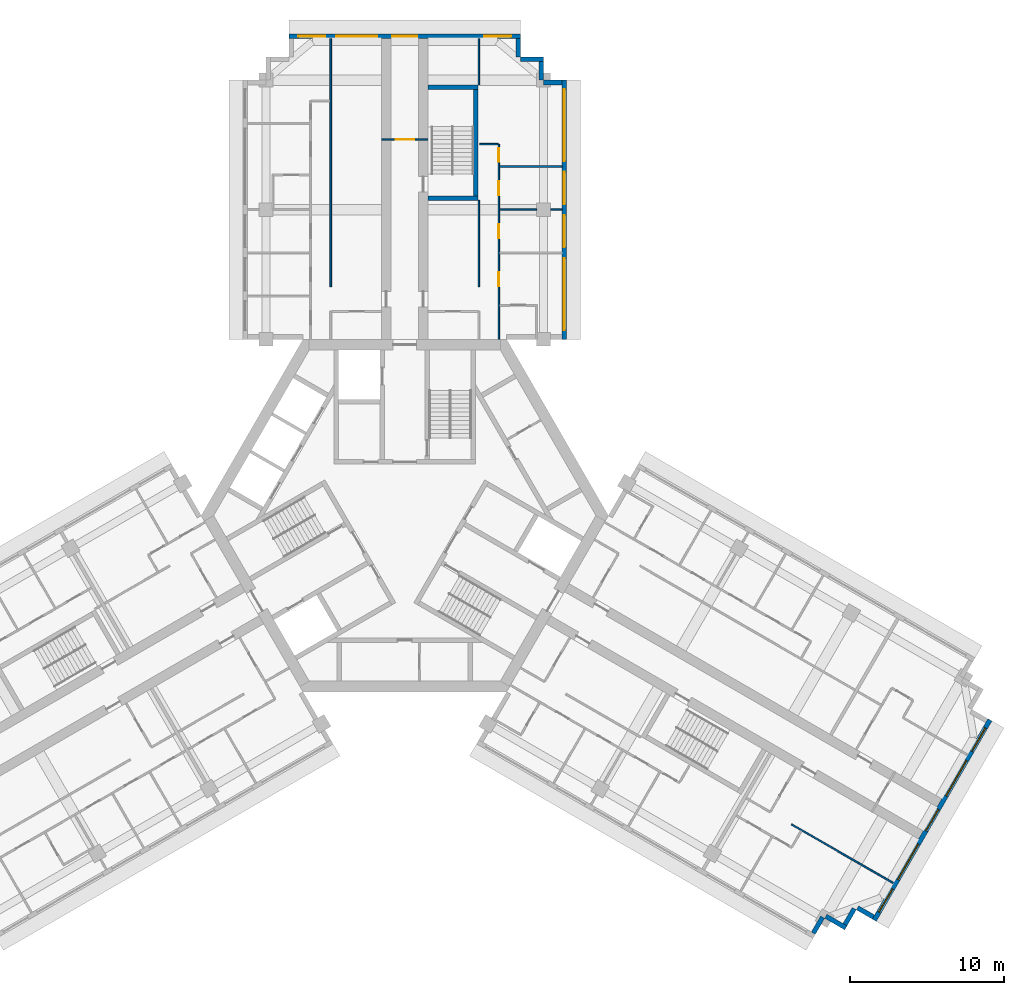
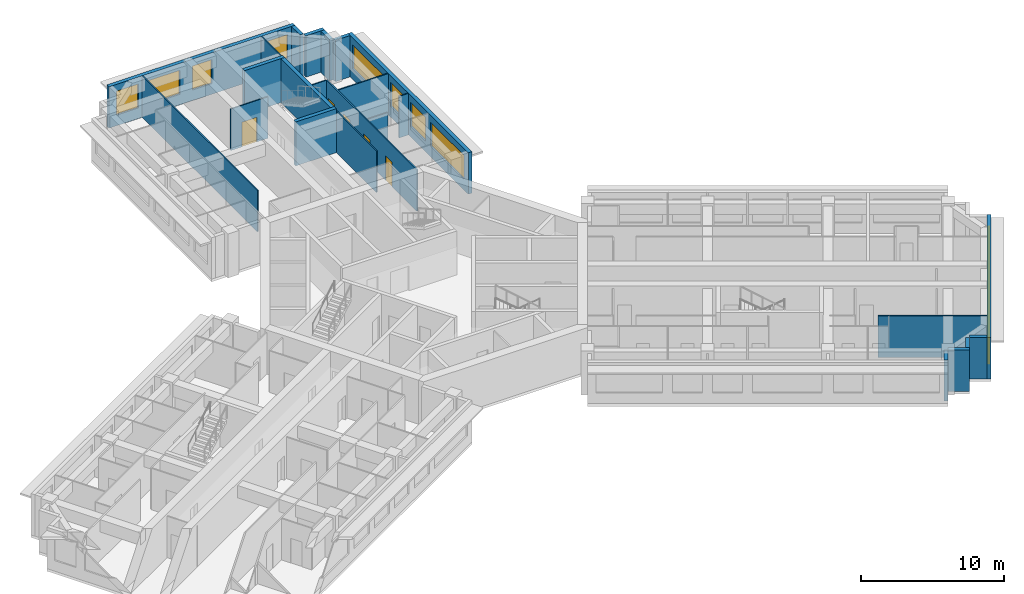
# One storey, part 9 of 12: 24 walls, 13 windows, 5 doors, 18 openings.
"""IFC4 building model written with IfcOpenShell, lengths in metres."""

from ifc_helpers import new_model, si_unit, direction, frame, frame_2d, origin, place, context, subcontext, project, spatial, rectangle, extrude, material, layer, layer_set, type_object, element, fill, save


model = new_model("IFC4")

# Units and contexts
model_context = context("Model", 3, precision=1e-05, world=origin(), true_north=direction((0.0, 1.0)))
body_context = subcontext(model_context, "Body", "Model", "MODEL_VIEW")
ifc_project = project(units=[si_unit("LENGTHUNIT", "METRE"), si_unit("AREAUNIT", "SQUARE_METRE"), si_unit("VOLUMEUNIT", "CUBIC_METRE"), si_unit("PLANEANGLEUNIT", "RADIAN"), si_unit("MASSUNIT", "GRAM", prefix="KILO")], contexts=[model_context])

# Site, building, storey
site_placement = place(None, origin())
site = spatial("IfcSite", under=ifc_project, at=site_placement, CompositionType="ELEMENT")
building_placement = place(site_placement, origin())
building = spatial("IfcBuilding", under=site, at=building_placement, Name="Impinga Residences", CompositionType="ELEMENT")
storey_placement = place(building_placement, frame((0.0, 0.0, 211.0)))
storey = spatial("IfcBuildingStorey", under=building, at=storey_placement, Name="L52", CompositionType="ELEMENT", Elevation=211.0)

# Wall, opening, door
ifc_material_1 = material(Name="Concrete blockwork", Category="masonry")
ifc_layer_1 = layer(ifc_material_1, 0.10009765625)
ifc_layer_set_1 = layer_set([ifc_layer_1], Name="CP1 core room partition, blockwork 100")
wall_type_1 = type_object("IfcWallType", Name="CP1 core room partition, blockwork 100", PredefinedType="PARTITIONING", material=ifc_layer_set_1)
wall_1_placement = place(storey_placement, frame((-1.5, 24.381591796875, 0.0), z_axis=(0.0, 0.0, 1.0), x_axis=(1.0, 0.0, 0.0)))
wall_1 = element("IfcWall", 1, at=wall_1_placement, inside=storey, type_object=wall_type_1, Name="Core room partition, blockwork L52:N:LNG", PredefinedType="PARTITIONING", context=body_context, shape_type="SweptSolid", body=[
    extrude(rectangle(XDim=3.0, YDim=0.10009765625, at=frame_2d((1.5, 0.0))), origin(), (0.0, 0.0, 1.0), 3.530029296875),
])
opening_1_placement = place(wall_1_placement, frame((0.89990234375, 0.0, 0.0)))
opening_1 = element("IfcOpeningElement", 2, at=opening_1_placement, cuts=wall_1, Name="Opening D3", PredefinedType="OPENING", context=body_context, shape_type="SweptSolid", body=[
    extrude(rectangle(XDim=1.199951171875, YDim=2.10009765625, at=frame_2d((0.60009765625, 1.050048828125))), frame((0.0, 0.06005859375, 0.0), z_axis=(0.0, -1.0, 0.0), x_axis=(1.0, 0.0, 0.0)), (0.0, 0.0, 1.0), 0.1201171875),
])
ifc_material_2 = material(Name="Timber door set", Category="wood")
door_type_1 = type_object("IfcDoorType", Name="D3 room door, leaf and a half 1200x2100", OperationType="DOUBLE_SWING_LEFT", PredefinedType="DOOR", material=ifc_material_2)
door_1_placement = place(opening_1_placement, origin())
door_1 = element("IfcDoor", 3, at=door_1_placement, inside=storey, type_object=door_type_1, Name="Residents' lounge door N", OperationType="DOUBLE_SWING_LEFT", OverallHeight=2.10009765625, OverallWidth=1.199951171875, PredefinedType="DOOR", context=body_context, shape_type="SweptSolid", body=[
    extrude(rectangle(XDim=1.199951171875, YDim=2.10009765625, at=frame_2d((0.60009765625, 1.050048828125))), frame((0.0, 0.02490234375, 0.0), z_axis=(0.0, -1.0, 0.0), x_axis=(1.0, 0.0, 0.0)), (0.0, 0.0, 1.0), 0.050048828125),
])
fill(opening_1, door_1)

# Wall, openings, windows
ifc_material_3 = material(Name="Terracotta rainscreen on blockwork", Category="masonry")
ifc_layer_2 = layer(ifc_material_3, 0.300048828125)
ifc_layer_set_2 = layer_set([ifc_layer_2], Name="EW1 external wall, terracotta rainscreen on blockwork 300")
wall_type_2 = type_object("IfcWallType", Name="EW1 external wall, terracotta rainscreen on blockwork 300", PredefinedType="SOLIDWALL", material=ifc_layer_set_2)
wall_2_placement = place(storey_placement, frame((-7.5, 31.08154296875, 0.0), z_axis=(0.0, 0.0, 1.0), x_axis=(1.0, 0.0, 0.0)))
wall_2 = element("IfcWall", 4, at=wall_2_placement, inside=storey, type_object=wall_type_2, Name="External wall EW1 L52", PredefinedType="SOLIDWALL", context=body_context, shape_type="SweptSolid", body=[
    extrude(rectangle(XDim=15.0, YDim=0.300048828125, at=frame_2d((7.5, 0.0))), origin(), (0.0, 0.0, 1.0), 3.530029296875),
])
opening_2_placement = place(wall_2_placement, frame((0.60009765625, 0.0, 0.89990234375)))
opening_2 = element("IfcOpeningElement", 5, at=opening_2_placement, cuts=wall_2, Name="Opening W1", PredefinedType="OPENING", context=body_context, shape_type="SweptSolid", body=[
    extrude(rectangle(XDim=1.75, YDim=2.050048828125, at=frame_2d((0.875, 1.02490234375))), frame((0.0, 0.159912109375, 0.0), z_axis=(0.0, -1.0, 0.0), x_axis=(1.0, 0.0, 0.0)), (0.0, 0.0, 1.0), 0.320068359375),
])
opening_3_placement = place(wall_2_placement, frame((3.050048828125, 0.0, 0.89990234375)))
opening_3 = element("IfcOpeningElement", 6, at=opening_3_placement, cuts=wall_2, Name="Opening W18", PredefinedType="OPENING", context=body_context, shape_type="SweptSolid", body=[
    extrude(rectangle(XDim=2.64990234375, YDim=2.050048828125, at=frame_2d((1.324951171875, 1.02490234375))), frame((0.0, 0.159912109375, 0.0), z_axis=(0.0, -1.0, 0.0), x_axis=(1.0, 0.0, 0.0)), (0.0, 0.0, 1.0), 0.320068359375),
])
opening_4_placement = place(wall_2_placement, frame((6.699951171875, 0.0, 0.89990234375)))
opening_4 = element("IfcOpeningElement", 7, at=opening_4_placement, cuts=wall_2, Name="Opening W19", PredefinedType="OPENING", context=body_context, shape_type="SweptSolid", body=[
    extrude(rectangle(XDim=1.60009765625, YDim=2.050048828125, at=frame_2d((0.800048828125, 1.02490234375))), frame((0.0, 0.159912109375, 0.0), z_axis=(0.0, -1.0, 0.0), x_axis=(1.0, 0.0, 0.0)), (0.0, 0.0, 1.0), 0.320068359375),
])
opening_5_placement = place(wall_2_placement, frame((12.64990234375, 0.0, 0.89990234375)))
opening_5 = element("IfcOpeningElement", 8, at=opening_5_placement, cuts=wall_2, Name="Opening W1", PredefinedType="OPENING", context=body_context, shape_type="SweptSolid", body=[
    extrude(rectangle(XDim=1.75, YDim=2.050048828125, at=frame_2d((0.875, 1.02490234375))), frame((0.0, 0.159912109375, 0.0), z_axis=(0.0, -1.0, 0.0), x_axis=(1.0, 0.0, 0.0)), (0.0, 0.0, 1.0), 0.320068359375),
])
ifc_material_4 = material(Name="Aluminium window, clear double glazing", Category="aluminium")
window_type_1 = type_object("IfcWindowType", Name="W1 ribbon window 1750x2050", PartitioningType="SINGLE_PANEL", PredefinedType="WINDOW", material=ifc_material_4)
window_1_placement = place(opening_2_placement, origin())
window_1 = element("IfcWindow", 9, at=window_1_placement, inside=storey, type_object=window_type_1, Name="Window L52", OverallHeight=2.050048828125, OverallWidth=1.75, PartitioningType="SINGLE_PANEL", PredefinedType="WINDOW", context=body_context, shape_type="SweptSolid", body=[
    extrude(rectangle(XDim=1.75, YDim=2.050048828125, at=frame_2d((0.875, 1.02490234375))), frame((0.0, 0.030029296875, 0.0), z_axis=(0.0, -1.0, 0.0), x_axis=(1.0, 0.0, 0.0)), (0.0, 0.0, 1.0), 0.06005859375),
])
fill(opening_2, window_1)
window_2_placement = place(opening_5_placement, origin())
window_2 = element("IfcWindow", 10, at=window_2_placement, inside=storey, type_object=window_type_1, Name="Window L52", OverallHeight=2.050048828125, OverallWidth=1.75, PartitioningType="SINGLE_PANEL", PredefinedType="WINDOW", context=body_context, shape_type="SweptSolid", body=[
    extrude(rectangle(XDim=1.75, YDim=2.050048828125, at=frame_2d((0.875, 1.02490234375))), frame((0.0, 0.030029296875, 0.0), z_axis=(0.0, -1.0, 0.0), x_axis=(1.0, 0.0, 0.0)), (0.0, 0.0, 1.0), 0.06005859375),
])
fill(opening_5, window_2)
window_type_2 = type_object("IfcWindowType", Name="W18 ribbon window 2650x2050", PartitioningType="SINGLE_PANEL", PredefinedType="WINDOW", material=ifc_material_4)
window_3_placement = place(opening_3_placement, origin())
window_3 = element("IfcWindow", 11, at=window_3_placement, inside=storey, type_object=window_type_2, Name="Window L52", OverallHeight=2.050048828125, OverallWidth=2.64990234375, PartitioningType="SINGLE_PANEL", PredefinedType="WINDOW", context=body_context, shape_type="SweptSolid", body=[
    extrude(rectangle(XDim=2.64990234375, YDim=2.050048828125, at=frame_2d((1.324951171875, 1.02490234375))), frame((0.0, 0.030029296875, 0.0), z_axis=(0.0, -1.0, 0.0), x_axis=(1.0, 0.0, 0.0)), (0.0, 0.0, 1.0), 0.06005859375),
])
fill(opening_3, window_3)
window_type_3 = type_object("IfcWindowType", Name="W19 ribbon window 1600x2050", PartitioningType="SINGLE_PANEL", PredefinedType="WINDOW", material=ifc_material_4)
window_4_placement = place(opening_4_placement, origin())
window_4 = element("IfcWindow", 12, at=window_4_placement, inside=storey, type_object=window_type_3, Name="Window L52", OverallHeight=2.050048828125, OverallWidth=1.60009765625, PartitioningType="SINGLE_PANEL", PredefinedType="WINDOW", context=body_context, shape_type="SweptSolid", body=[
    extrude(rectangle(XDim=1.60009765625, YDim=2.050048828125, at=frame_2d((0.800048828125, 1.02490234375))), frame((0.0, 0.030029296875, 0.0), z_axis=(0.0, -1.0, 0.0), x_axis=(1.0, 0.0, 0.0)), (0.0, 0.0, 1.0), 0.06005859375),
])
fill(opening_4, window_4)

# Walls
wall_3_placement = place(storey_placement, frame((7.35009765625, 30.931640625, 0.0), z_axis=(0.0, 0.0, 1.0), x_axis=(0.0, -1.0, 0.0)))
element("IfcWall", 13, at=wall_3_placement, inside=storey, type_object=wall_type_2, Name="External wall EW1 L52", PredefinedType="SOLIDWALL", context=body_context, shape_type="SweptSolid", body=[
    extrude(rectangle(XDim=1.195068359375, YDim=0.300048828125, at=frame_2d((0.59765625, 0.0))), origin(), (0.0, 0.0, 1.0), 3.530029296875),
])
wall_4_placement = place(storey_placement, frame((7.5, 29.58154296875, 0.0), z_axis=(0.0, 0.0, 1.0), x_axis=(1.0, 0.0, 0.0)))
element("IfcWall", 14, at=wall_4_placement, inside=storey, type_object=wall_type_2, Name="External wall EW1 L52", PredefinedType="SOLIDWALL", context=body_context, shape_type="SweptSolid", body=[
    extrude(rectangle(XDim=1.5, YDim=0.300048828125, at=frame_2d((0.75, 0.0))), origin(), (0.0, 0.0, 1.0), 3.530029296875),
])
wall_5_placement = place(storey_placement, frame((8.85009765625, 29.431640625, 0.0), z_axis=(0.0, 0.0, 1.0), x_axis=(0.0, -1.0, 0.0)))
element("IfcWall", 15, at=wall_5_placement, inside=storey, type_object=wall_type_2, Name="External wall EW1 L52", PredefinedType="SOLIDWALL", context=body_context, shape_type="SweptSolid", body=[
    extrude(rectangle(XDim=1.2001953125, YDim=0.300048828125, at=frame_2d((0.60009765625, 0.0))), origin(), (0.0, 0.0, 1.0), 3.530029296875),
])
wall_6_placement = place(storey_placement, frame((9.0048828125, 28.08154296875, 0.0), z_axis=(0.0, 0.0, 1.0), x_axis=(1.0, 0.0, 0.0)))
element("IfcWall", 16, at=wall_6_placement, inside=storey, type_object=wall_type_2, Name="External wall EW1 L52", PredefinedType="SOLIDWALL", context=body_context, shape_type="SweptSolid", body=[
    extrude(rectangle(XDim=1.195068359375, YDim=0.300048828125, at=frame_2d((0.59765625, 0.0))), origin(), (0.0, 0.0, 1.0), 3.530029296875),
])

# Wall, openings, windows
wall_7_placement = place(storey_placement, frame((10.35009765625, 28.2314453125, 0.0), z_axis=(0.0, 0.0, 1.0), x_axis=(0.0, -1.0, 0.0)))
wall_7 = element("IfcWall", 17, at=wall_7_placement, inside=storey, type_object=wall_type_2, Name="External wall EW1 L52", PredefinedType="SOLIDWALL", context=body_context, shape_type="SweptSolid", body=[
    extrude(rectangle(XDim=16.7998046875, YDim=0.300048828125, at=frame_2d((8.39990234375, 0.0))), origin(), (0.0, 0.0, 1.0), 3.530029296875),
])
opening_6_placement = place(wall_7_placement, frame((0.60009765625, 0.0, 0.89990234375)))
opening_6 = element("IfcOpeningElement", 18, at=opening_6_placement, cuts=wall_7, Name="Opening W10", PredefinedType="OPENING", context=body_context, shape_type="SweptSolid", body=[
    extrude(rectangle(XDim=4.64990234375, YDim=2.050048828125, at=frame_2d((2.324951171875, 1.02490234375))), frame((0.0, 0.159912109375, 0.0), z_axis=(0.0, -1.0, 0.0), x_axis=(1.0, 0.0, 0.0)), (0.0, 0.0, 1.0), 0.320068359375),
])
opening_7_placement = place(wall_7_placement, frame((5.949951171875, 0.0, 0.89990234375)))
opening_7 = element("IfcOpeningElement", 19, at=opening_7_placement, cuts=wall_7, Name="Opening W9", PredefinedType="OPENING", context=body_context, shape_type="SweptSolid", body=[
    extrude(rectangle(XDim=2.10009765625, YDim=2.050048828125, at=frame_2d((1.050048828125, 1.02490234375))), frame((0.0, 0.159912109375, 0.0), z_axis=(0.0, -1.0, 0.0), x_axis=(1.0, 0.0, 0.0)), (0.0, 0.0, 1.0), 0.320068359375),
])
opening_8_placement = place(wall_7_placement, frame((8.75, 0.0, 0.89990234375)))
opening_8 = element("IfcOpeningElement", 20, at=opening_8_placement, cuts=wall_7, Name="Opening W9", PredefinedType="OPENING", context=body_context, shape_type="SweptSolid", body=[
    extrude(rectangle(XDim=2.10009765625, YDim=2.050048828125, at=frame_2d((1.050048828125, 1.02490234375))), frame((0.0, 0.159912109375, 0.0), z_axis=(0.0, -1.0, 0.0), x_axis=(1.0, 0.0, 0.0)), (0.0, 0.0, 1.0), 0.320068359375),
])
opening_9_placement = place(wall_7_placement, frame((11.550048828125, 0.0, 0.89990234375)))
opening_9 = element("IfcOpeningElement", 21, at=opening_9_placement, cuts=wall_7, Name="Opening W10", PredefinedType="OPENING", context=body_context, shape_type="SweptSolid", body=[
    extrude(rectangle(XDim=4.64990234375, YDim=2.050048828125, at=frame_2d((2.324951171875, 1.02490234375))), frame((0.0, 0.159912109375, 0.0), z_axis=(0.0, -1.0, 0.0), x_axis=(1.0, 0.0, 0.0)), (0.0, 0.0, 1.0), 0.320068359375),
])
window_type_4 = type_object("IfcWindowType", Name="W10 ribbon window 4650x2050", PartitioningType="SINGLE_PANEL", PredefinedType="WINDOW", material=ifc_material_4)
window_5_placement = place(opening_6_placement, origin())
window_5 = element("IfcWindow", 22, at=window_5_placement, inside=storey, type_object=window_type_4, Name="Window L52", OverallHeight=2.050048828125, OverallWidth=4.64990234375, PartitioningType="SINGLE_PANEL", PredefinedType="WINDOW", context=body_context, shape_type="SweptSolid", body=[
    extrude(rectangle(XDim=4.64990234375, YDim=2.050048828125, at=frame_2d((2.324951171875, 1.02490234375))), frame((0.0, 0.030029296875, 0.0), z_axis=(0.0, -1.0, 0.0), x_axis=(1.0, 0.0, 0.0)), (0.0, 0.0, 1.0), 0.06005859375),
])
fill(opening_6, window_5)
window_6_placement = place(opening_9_placement, origin())
window_6 = element("IfcWindow", 23, at=window_6_placement, inside=storey, type_object=window_type_4, Name="Window L52", OverallHeight=2.050048828125, OverallWidth=4.64990234375, PartitioningType="SINGLE_PANEL", PredefinedType="WINDOW", context=body_context, shape_type="SweptSolid", body=[
    extrude(rectangle(XDim=4.64990234375, YDim=2.050048828125, at=frame_2d((2.324951171875, 1.02490234375))), frame((0.0, 0.030029296875, 0.0), z_axis=(0.0, -1.0, 0.0), x_axis=(1.0, 0.0, 0.0)), (0.0, 0.0, 1.0), 0.06005859375),
])
fill(opening_9, window_6)
window_type_5 = type_object("IfcWindowType", Name="W9 ribbon window 2100x2050", PartitioningType="SINGLE_PANEL", PredefinedType="WINDOW", material=ifc_material_4)
window_7_placement = place(opening_7_placement, origin())
window_7 = element("IfcWindow", 24, at=window_7_placement, inside=storey, type_object=window_type_5, Name="Window L52", OverallHeight=2.050048828125, OverallWidth=2.10009765625, PartitioningType="SINGLE_PANEL", PredefinedType="WINDOW", context=body_context, shape_type="SweptSolid", body=[
    extrude(rectangle(XDim=2.10009765625, YDim=2.050048828125, at=frame_2d((1.050048828125, 1.02490234375))), frame((0.0, 0.030029296875, 0.0), z_axis=(0.0, -1.0, 0.0), x_axis=(1.0, 0.0, 0.0)), (0.0, 0.0, 1.0), 0.06005859375),
])
fill(opening_7, window_7)
window_8_placement = place(opening_8_placement, origin())
window_8 = element("IfcWindow", 25, at=window_8_placement, inside=storey, type_object=window_type_5, Name="Window L52", OverallHeight=2.050048828125, OverallWidth=2.10009765625, PartitioningType="SINGLE_PANEL", PredefinedType="WINDOW", context=body_context, shape_type="SweptSolid", body=[
    extrude(rectangle(XDim=2.10009765625, YDim=2.050048828125, at=frame_2d((1.050048828125, 1.02490234375))), frame((0.0, 0.030029296875, 0.0), z_axis=(0.0, -1.0, 0.0), x_axis=(1.0, 0.0, 0.0)), (0.0, 0.0, 1.0), 0.06005859375),
])
fill(opening_8, window_8)

wall_8_placement = place(storey_placement, frame((37.94189453125, -13.24560546875, 0.0), z_axis=(0.0, 0.0, 1.0), x_axis=(-0.500004234368, -0.866022959057, 0.0)))
wall_8 = element("IfcWall", 26, at=wall_8_placement, inside=storey, type_object=wall_type_2, Name="External wall EW1 L52", PredefinedType="SOLIDWALL", context=body_context, shape_type="SweptSolid", body=[
    extrude(rectangle(XDim=14.999755859375, YDim=0.300048828125, at=frame_2d((7.5, 0.0))), origin(), (0.0, 0.0, 1.0), 3.530029296875),
])
opening_10_placement = place(wall_8_placement, frame((0.60009765625, 0.0, 0.89990234375)))
opening_10 = element("IfcOpeningElement", 27, at=opening_10_placement, cuts=wall_8, Name="Opening W1", PredefinedType="OPENING", context=body_context, shape_type="SweptSolid", body=[
    extrude(rectangle(XDim=1.75, YDim=2.050048828125, at=frame_2d((0.875, 1.02490234375))), frame((0.0, 0.159912109375, 0.0), z_axis=(0.0, -1.0, 0.0), x_axis=(1.0, 0.0, 0.0)), (0.0, 0.0, 1.0), 0.320068359375),
])
opening_11_placement = place(wall_8_placement, frame((3.050048828125, 0.0, 0.89990234375)))
opening_11 = element("IfcOpeningElement", 28, at=opening_11_placement, cuts=wall_8, Name="Opening W18", PredefinedType="OPENING", context=body_context, shape_type="SweptSolid", body=[
    extrude(rectangle(XDim=2.64990234375, YDim=2.050048828125, at=frame_2d((1.324951171875, 1.02490234375))), frame((0.0, 0.159912109375, 0.0), z_axis=(0.0, -1.0, 0.0), x_axis=(1.0, 0.0, 0.0)), (0.0, 0.0, 1.0), 0.320068359375),
])
opening_12_placement = place(wall_8_placement, frame((6.699951171875, 0.0, 0.89990234375)))
opening_12 = element("IfcOpeningElement", 29, at=opening_12_placement, cuts=wall_8, Name="Opening W19", PredefinedType="OPENING", context=body_context, shape_type="SweptSolid", body=[
    extrude(rectangle(XDim=1.60009765625, YDim=2.050048828125, at=frame_2d((0.800048828125, 1.02490234375))), frame((0.0, 0.159912109375, 0.0), z_axis=(0.0, -1.0, 0.0), x_axis=(1.0, 0.0, 0.0)), (0.0, 0.0, 1.0), 0.320068359375),
])
opening_13_placement = place(wall_8_placement, frame((9.300048828125, 0.0, 0.89990234375)))
opening_13 = element("IfcOpeningElement", 30, at=opening_13_placement, cuts=wall_8, Name="Opening W18", PredefinedType="OPENING", context=body_context, shape_type="SweptSolid", body=[
    extrude(rectangle(XDim=2.64990234375, YDim=2.050048828125, at=frame_2d((1.324951171875, 1.02490234375))), frame((0.0, 0.159912109375, 0.0), z_axis=(0.0, -1.0, 0.0), x_axis=(1.0, 0.0, 0.0)), (0.0, 0.0, 1.0), 0.320068359375),
])
opening_14_placement = place(wall_8_placement, frame((12.64990234375, 0.0, 0.89990234375)))
opening_14 = element("IfcOpeningElement", 31, at=opening_14_placement, cuts=wall_8, Name="Opening W1", PredefinedType="OPENING", context=body_context, shape_type="SweptSolid", body=[
    extrude(rectangle(XDim=1.75, YDim=2.050048828125, at=frame_2d((0.875, 1.02490234375))), frame((0.0, 0.159912109375, 0.0), z_axis=(0.0, -1.0, 0.0), x_axis=(1.0, 0.0, 0.0)), (0.0, 0.0, 1.0), 0.320068359375),
])
window_9_placement = place(opening_10_placement, origin())
window_9 = element("IfcWindow", 32, at=window_9_placement, inside=storey, type_object=window_type_1, Name="Window L52", OverallHeight=2.050048828125, OverallWidth=1.75, PartitioningType="SINGLE_PANEL", PredefinedType="WINDOW", context=body_context, shape_type="SweptSolid", body=[
    extrude(rectangle(XDim=1.75, YDim=2.050048828125, at=frame_2d((0.875, 1.02490234375))), frame((0.0, 0.030029296875, 0.0), z_axis=(0.0, -1.0, 0.0), x_axis=(1.0, 0.0, 0.0)), (0.0, 0.0, 1.0), 0.06005859375),
])
fill(opening_10, window_9)
window_10_placement = place(opening_14_placement, origin())
window_10 = element("IfcWindow", 33, at=window_10_placement, inside=storey, type_object=window_type_1, Name="Window L52", OverallHeight=2.050048828125, OverallWidth=1.75, PartitioningType="SINGLE_PANEL", PredefinedType="WINDOW", context=body_context, shape_type="SweptSolid", body=[
    extrude(rectangle(XDim=1.75, YDim=2.050048828125, at=frame_2d((0.875, 1.02490234375))), frame((0.0, 0.030029296875, 0.0), z_axis=(0.0, -1.0, 0.0), x_axis=(1.0, 0.0, 0.0)), (0.0, 0.0, 1.0), 0.06005859375),
])
fill(opening_14, window_10)
window_11_placement = place(opening_11_placement, origin())
window_11 = element("IfcWindow", 34, at=window_11_placement, inside=storey, type_object=window_type_2, Name="Window L52", OverallHeight=2.050048828125, OverallWidth=2.64990234375, PartitioningType="SINGLE_PANEL", PredefinedType="WINDOW", context=body_context, shape_type="SweptSolid", body=[
    extrude(rectangle(XDim=2.64990234375, YDim=2.050048828125, at=frame_2d((1.324951171875, 1.02490234375))), frame((0.0, 0.030029296875, 0.0), z_axis=(0.0, -1.0, 0.0), x_axis=(1.0, 0.0, 0.0)), (0.0, 0.0, 1.0), 0.06005859375),
])
fill(opening_11, window_11)
window_12_placement = place(opening_13_placement, origin())
window_12 = element("IfcWindow", 35, at=window_12_placement, inside=storey, type_object=window_type_2, Name="Window L52", OverallHeight=2.050048828125, OverallWidth=2.64990234375, PartitioningType="SINGLE_PANEL", PredefinedType="WINDOW", context=body_context, shape_type="SweptSolid", body=[
    extrude(rectangle(XDim=2.64990234375, YDim=2.050048828125, at=frame_2d((1.324951171875, 1.02490234375))), frame((0.0, 0.030029296875, 0.0), z_axis=(0.0, -1.0, 0.0), x_axis=(1.0, 0.0, 0.0)), (0.0, 0.0, 1.0), 0.06005859375),
])
fill(opening_13, window_12)
window_13_placement = place(opening_12_placement, origin())
window_13 = element("IfcWindow", 36, at=window_13_placement, inside=storey, type_object=window_type_3, Name="Window L52", OverallHeight=2.050048828125, OverallWidth=1.60009765625, PartitioningType="SINGLE_PANEL", PredefinedType="WINDOW", context=body_context, shape_type="SweptSolid", body=[
    extrude(rectangle(XDim=1.60009765625, YDim=2.050048828125, at=frame_2d((0.800048828125, 1.02490234375))), frame((0.0, 0.030029296875, 0.0), z_axis=(0.0, -1.0, 0.0), x_axis=(1.0, 0.0, 0.0)), (0.0, 0.0, 1.0), 0.06005859375),
])
fill(opening_12, window_13)

# Walls
wall_9_placement = place(storey_placement, frame((30.38720703125, -26.031005859375, 0.0), z_axis=(0.0, 0.0, 1.0), x_axis=(-0.866059708757, 0.499940577336, 0.0)))
element("IfcWall", 37, at=wall_9_placement, inside=storey, type_object=wall_type_2, Name="External wall EW1 L52", PredefinedType="SOLIDWALL", context=body_context, shape_type="SweptSolid", body=[
    extrude(rectangle(XDim=1.195068359375, YDim=0.300048828125, at=frame_2d((0.59765625, 0.0))), origin(), (0.0, 0.0, 1.0), 3.530029296875),
])
wall_10_placement = place(storey_placement, frame((29.14306640625, -25.48583984375, 0.0), z_axis=(0.0, 0.0, 1.0), x_axis=(-0.500033551112, -0.866006032174, 0.0)))
element("IfcWall", 38, at=wall_10_placement, inside=storey, type_object=wall_type_2, Name="External wall EW1 L52", PredefinedType="SOLIDWALL", context=body_context, shape_type="SweptSolid", body=[
    extrude(rectangle(XDim=1.2001953125, YDim=0.300048828125, at=frame_2d((0.60009765625, 0.0))), origin(), (0.0, 0.0, 1.0), 3.530029296875),
])
wall_11_placement = place(storey_placement, frame((28.597900390625, -26.72998046875, 0.0), z_axis=(0.0, 0.0, 1.0), x_axis=(-0.866031096941, 0.499990139034, 0.0)))
element("IfcWall", 39, at=wall_11_placement, inside=storey, type_object=wall_type_2, Name="External wall EW1 L52", PredefinedType="SOLIDWALL", context=body_context, shape_type="SweptSolid", body=[
    extrude(rectangle(XDim=1.5, YDim=0.300048828125, at=frame_2d((0.75, 0.0))), origin(), (0.0, 0.0, 1.0), 3.530029296875),
])
wall_12_placement = place(storey_placement, frame((27.091552734375, -26.039306640625, 0.0), z_axis=(0.0, 0.0, 1.0), x_axis=(-0.500093796661, -0.865971243484, 0.0)))
element("IfcWall", 40, at=wall_12_placement, inside=storey, type_object=wall_type_2, Name="External wall EW1 L52", PredefinedType="SOLIDWALL", context=body_context, shape_type="SweptSolid", body=[
    extrude(rectangle(XDim=1.195068359375, YDim=0.300048828125, at=frame_2d((0.59765625, 0.0))), origin(), (0.0, 0.0, 1.0), 3.530029296875),
])
ifc_material_5 = material(Name="Gypsum board on steel studs", Category="steel")
ifc_layer_3 = layer(ifc_material_5, 0.10009765625)
ifc_layer_set_3 = layer_set([ifc_layer_3], Name="Gypsum board on steel studs")
wall_type_3 = type_object("IfcWallType", Name="IP1 partition 100", PredefinedType="PARTITIONING", material=ifc_layer_set_3)
wall_13_placement = place(storey_placement, frame((-4.800048828125, 14.83154296875, 0.0), z_axis=(0.0, 0.0, 1.0), x_axis=(0.0, 1.0, 0.0)))
element("IfcWall", 41, at=wall_13_placement, inside=storey, type_object=wall_type_3, Name="Partition L52-NA1:DIV1", PredefinedType="PARTITIONING", context=body_context, shape_type="SweptSolid", body=[
    extrude(rectangle(XDim=16.10009765625, YDim=0.10009765625, at=frame_2d((8.050048828125, 0.0))), origin(), (0.0, 0.0, 1.0), 3.530029296875),
])
wall_14_placement = place(storey_placement, frame((4.800048828125, 14.83154296875, 0.0), z_axis=(0.0, 0.0, 1.0), x_axis=(0.0, 1.0, 0.0)))
element("IfcWall", 42, at=wall_14_placement, inside=storey, type_object=wall_type_3, Name="Partition L52-NF1:DIV1", PredefinedType="PARTITIONING", context=body_context, shape_type="SweptSolid", body=[
    extrude(rectangle(XDim=5.60009765625, YDim=0.10009765625, at=frame_2d((2.800048828125, 0.0))), origin(), (0.0, 0.0, 1.0), 3.530029296875),
])
wall_15_placement = place(storey_placement, frame((4.800048828125, 27.931640625, 0.0), z_axis=(0.0, 0.0, 1.0), x_axis=(0.0, 1.0, 0.0)))
element("IfcWall", 43, at=wall_15_placement, inside=storey, type_object=wall_type_3, Name="Partition L52-NF1:DIV2", PredefinedType="PARTITIONING", context=body_context, shape_type="SweptSolid", body=[
    extrude(rectangle(XDim=3.0, YDim=0.10009765625, at=frame_2d((1.5, 0.0))), origin(), (0.0, 0.0, 1.0), 3.530029296875),
])

# Wall, openings, doors
wall_16_placement = place(storey_placement, frame((6.10009765625, 11.431640625, 0.0), z_axis=(0.0, 0.0, 1.0), x_axis=(0.0, 1.0, 0.0)))
wall_16 = element("IfcWall", 44, at=wall_16_placement, inside=storey, type_object=wall_type_3, Name="Partition L52-NF1:STRIP", PredefinedType="PARTITIONING", context=body_context, shape_type="SweptSolid", body=[
    extrude(rectangle(XDim=12.64990234375, YDim=0.10009765625, at=frame_2d((6.324951171875, 0.0))), origin(), (0.0, 0.0, 1.0), 3.530029296875),
])
opening_15_placement = place(wall_16_placement, frame((3.449951171875, 0.0, 0.0)))
opening_15 = element("IfcOpeningElement", 45, at=opening_15_placement, cuts=wall_16, Name="Opening D2", PredefinedType="OPENING", context=body_context, shape_type="SweptSolid", body=[
    extrude(rectangle(XDim=0.89990234375, YDim=2.10009765625, at=frame_2d((0.449951171875, 1.050048828125))), frame((0.0, 0.06005859375, 0.0), z_axis=(0.0, -1.0, 0.0), x_axis=(1.0, 0.0, 0.0)), (0.0, 0.0, 1.0), 0.1201171875),
])
opening_16_placement = place(wall_16_placement, frame((6.550048828125, 0.0, 0.0)))
opening_16 = element("IfcOpeningElement", 46, at=opening_16_placement, cuts=wall_16, Name="Opening D2", PredefinedType="OPENING", context=body_context, shape_type="SweptSolid", body=[
    extrude(rectangle(XDim=0.89990234375, YDim=2.10009765625, at=frame_2d((0.449951171875, 1.050048828125))), frame((0.0, 0.06005859375, 0.0), z_axis=(0.0, -1.0, 0.0), x_axis=(1.0, 0.0, 0.0)), (0.0, 0.0, 1.0), 0.1201171875),
])
opening_17_placement = place(wall_16_placement, frame((9.35009765625, 0.0, 0.0)))
opening_17 = element("IfcOpeningElement", 47, at=opening_17_placement, cuts=wall_16, Name="Opening D2", PredefinedType="OPENING", context=body_context, shape_type="SweptSolid", body=[
    extrude(rectangle(XDim=0.89990234375, YDim=2.10009765625, at=frame_2d((0.449951171875, 1.050048828125))), frame((0.0, 0.06005859375, 0.0), z_axis=(0.0, -1.0, 0.0), x_axis=(1.0, 0.0, 0.0)), (0.0, 0.0, 1.0), 0.1201171875),
])
opening_18_placement = place(wall_16_placement, frame((11.5, 0.0, 0.0)))
opening_18 = element("IfcOpeningElement", 48, at=opening_18_placement, cuts=wall_16, Name="Opening D2", PredefinedType="OPENING", context=body_context, shape_type="SweptSolid", body=[
    extrude(rectangle(XDim=0.89990234375, YDim=2.10009765625, at=frame_2d((0.449951171875, 1.050048828125))), frame((0.0, 0.06005859375, 0.0), z_axis=(0.0, -1.0, 0.0), x_axis=(1.0, 0.0, 0.0)), (0.0, 0.0, 1.0), 0.1201171875),
])
door_type_2 = type_object("IfcDoorType", Name="D2 internal door 900x2100", OperationType="SINGLE_SWING_LEFT", PredefinedType="DOOR", material=ifc_material_2)
door_2_placement = place(opening_15_placement, origin())
door_2 = element("IfcDoor", 49, at=door_2_placement, inside=storey, type_object=door_type_2, Name="Apartment L52-NF1 room door", OperationType="SINGLE_SWING_LEFT", OverallHeight=2.10009765625, OverallWidth=0.89990234375, PredefinedType="DOOR", context=body_context, shape_type="SweptSolid", body=[
    extrude(rectangle(XDim=0.89990234375, YDim=2.10009765625, at=frame_2d((0.449951171875, 1.050048828125))), frame((0.0, 0.02490234375, 0.0), z_axis=(0.0, -1.0, 0.0), x_axis=(1.0, 0.0, 0.0)), (0.0, 0.0, 1.0), 0.050048828125),
])
fill(opening_15, door_2)
door_3_placement = place(opening_16_placement, origin())
door_3 = element("IfcDoor", 50, at=door_3_placement, inside=storey, type_object=door_type_2, Name="Apartment L52-NF1 room door", OperationType="SINGLE_SWING_RIGHT", OverallHeight=2.10009765625, OverallWidth=0.89990234375, PredefinedType="DOOR", context=body_context, shape_type="SweptSolid", body=[
    extrude(rectangle(XDim=0.89990234375, YDim=2.10009765625, at=frame_2d((0.449951171875, 1.050048828125))), frame((0.0, 0.02490234375, 0.0), z_axis=(0.0, -1.0, 0.0), x_axis=(1.0, 0.0, 0.0)), (0.0, 0.0, 1.0), 0.050048828125),
])
fill(opening_16, door_3)
door_4_placement = place(opening_17_placement, origin())
door_4 = element("IfcDoor", 51, at=door_4_placement, inside=storey, type_object=door_type_2, Name="Apartment L52-NF1 room door", OperationType="SINGLE_SWING_RIGHT", OverallHeight=2.10009765625, OverallWidth=0.89990234375, PredefinedType="DOOR", context=body_context, shape_type="SweptSolid", body=[
    extrude(rectangle(XDim=0.89990234375, YDim=2.10009765625, at=frame_2d((0.449951171875, 1.050048828125))), frame((0.0, 0.02490234375, 0.0), z_axis=(0.0, -1.0, 0.0), x_axis=(1.0, 0.0, 0.0)), (0.0, 0.0, 1.0), 0.050048828125),
])
fill(opening_17, door_4)
door_5_placement = place(opening_18_placement, origin())
door_5 = element("IfcDoor", 52, at=door_5_placement, inside=storey, type_object=door_type_2, Name="Apartment L52-NF1 room door", OperationType="SINGLE_SWING_RIGHT", OverallHeight=2.10009765625, OverallWidth=0.89990234375, PredefinedType="DOOR", context=body_context, shape_type="SweptSolid", body=[
    extrude(rectangle(XDim=0.89990234375, YDim=2.10009765625, at=frame_2d((0.449951171875, 1.050048828125))), frame((0.0, 0.02490234375, 0.0), z_axis=(0.0, -1.0, 0.0), x_axis=(1.0, 0.0, 0.0)), (0.0, 0.0, 1.0), 0.050048828125),
])
fill(opening_18, door_5)

# Walls
wall_17_placement = place(storey_placement, frame((4.85009765625, 24.08154296875, 0.0), z_axis=(0.0, 0.0, 1.0), x_axis=(1.0, 0.0, 0.0)))
element("IfcWall", 53, at=wall_17_placement, inside=storey, type_object=wall_type_3, Name="Partition L52-NF1:SE1", PredefinedType="PARTITIONING", context=body_context, shape_type="SweptSolid", body=[
    extrude(rectangle(XDim=1.199951171875, YDim=0.10009765625, at=frame_2d((0.60009765625, 0.0))), origin(), (0.0, 0.0, 1.0), 3.530029296875),
])
wall_18_placement = place(storey_placement, frame((6.14990234375, 19.83154296875, 0.0), z_axis=(0.0, 0.0, 1.0), x_axis=(1.0, 0.0, 0.0)))
element("IfcWall", 54, at=wall_18_placement, inside=storey, type_object=wall_type_3, Name="Partition L52-NF1:OB2", PredefinedType="PARTITIONING", context=body_context, shape_type="SweptSolid", body=[
    extrude(rectangle(XDim=2.400146484375, YDim=0.10009765625, at=frame_2d((1.2001953125, 0.0))), origin(), (0.0, 0.0, 1.0), 2.47998046875),
])
wall_19_placement = place(storey_placement, frame((9.449951171875, 19.83154296875, 0.0), z_axis=(0.0, 0.0, 1.0), x_axis=(1.0, 0.0, 0.0)))
element("IfcWall", 55, at=wall_19_placement, inside=storey, type_object=wall_type_3, Name="Partition L52-NF1:OB2b", PredefinedType="PARTITIONING", context=body_context, shape_type="SweptSolid", body=[
    extrude(rectangle(XDim=0.75, YDim=0.10009765625, at=frame_2d((0.375, 0.0))), origin(), (0.0, 0.0, 1.0), 3.530029296875),
])
wall_20_placement = place(storey_placement, frame((6.14990234375, 22.631591796875, 0.0), z_axis=(0.0, 0.0, 1.0), x_axis=(1.0, 0.0, 0.0)))
element("IfcWall", 56, at=wall_20_placement, inside=storey, type_object=wall_type_3, Name="Partition L52-NF1:OB3", PredefinedType="PARTITIONING", context=body_context, shape_type="SweptSolid", body=[
    extrude(rectangle(XDim=4.050048828125, YDim=0.10009765625, at=frame_2d((2.02490234375, 0.0))), origin(), (0.0, 0.0, 1.0), 3.530029296875),
])
wall_21_placement = place(storey_placement, frame((25.080322265625, -20.022705078125, 0.0), z_axis=(0.0, 0.0, 1.0), x_axis=(0.866022425744, -0.500005158081, 0.0)))
element("IfcWall", 57, at=wall_21_placement, inside=storey, type_object=wall_type_3, Name="Partition L52-EF2:DIV1", PredefinedType="PARTITIONING", context=body_context, shape_type="SweptSolid", body=[
    extrude(rectangle(XDim=7.60009765625, YDim=0.10009765625, at=frame_2d((3.800048828125, 0.0))), origin(), (0.0, 0.0, 1.0), 3.530029296875),
])
ifc_material_6 = material(Name="Concrete C60/75", Category="concrete")
ifc_layer_4 = layer(ifc_material_6, 0.300048828125)
ifc_layer_set_4 = layer_set([ifc_layer_4], Name="Concrete C60/75")
wall_type_4 = type_object("IfcWallType", Name="SE1 wing stair enclosure wall 300", PredefinedType="SOLIDWALL", material=ifc_layer_set_4)
for number, where, z_axis, x_axis, name in (
    (58, (1.5, 20.58154296875, 0.0), (0.0, 0.0, 1.0), (1.0, 0.0, 0.0), "Stair enclosure wall SE1 N END0 L52"),
    (59, (1.5, 27.781494140625, 0.0), (0.0, 0.0, 1.0), (1.0, 0.0, 0.0), "Stair enclosure wall SE1 N END1 L52"),
):
    element("IfcWall", number, at=place(storey_placement, frame(where, z_axis=z_axis, x_axis=x_axis)), inside=storey, type_object=wall_type_4, Name=name, PredefinedType="SOLIDWALL", context=body_context, shape_type="SweptSolid", body=[
        extrude(rectangle(XDim=3.25, YDim=0.300048828125, at=frame_2d((1.625, 0.0))), origin(), (0.0, 0.0, 1.0), 3.75),
    ])
wall_22_placement = place(storey_placement, frame((4.60009765625, 20.7314453125, 0.0), z_axis=(0.0, 0.0, 1.0), x_axis=(0.0, 1.0, 0.0)))
element("IfcWall", 60, at=wall_22_placement, inside=storey, type_object=wall_type_4, Name="Stair enclosure wall SE1 N OUT L52", PredefinedType="SOLIDWALL", context=body_context, shape_type="SweptSolid", body=[
    extrude(rectangle(XDim=6.900146484375, YDim=0.300048828125, at=frame_2d((3.4501953125, 0.0))), origin(), (0.0, 0.0, 1.0), 3.75),
])

save(model, "model.ifc")
